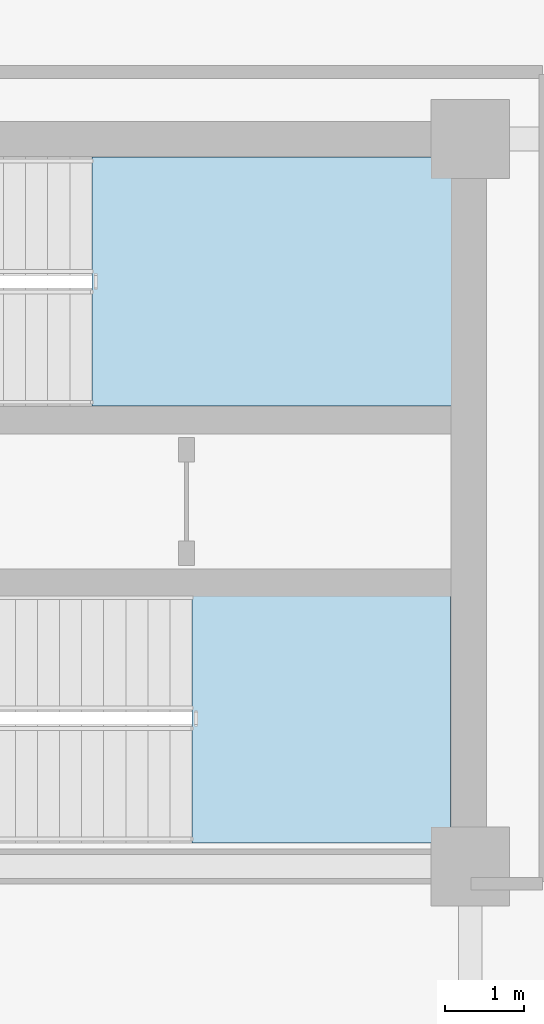
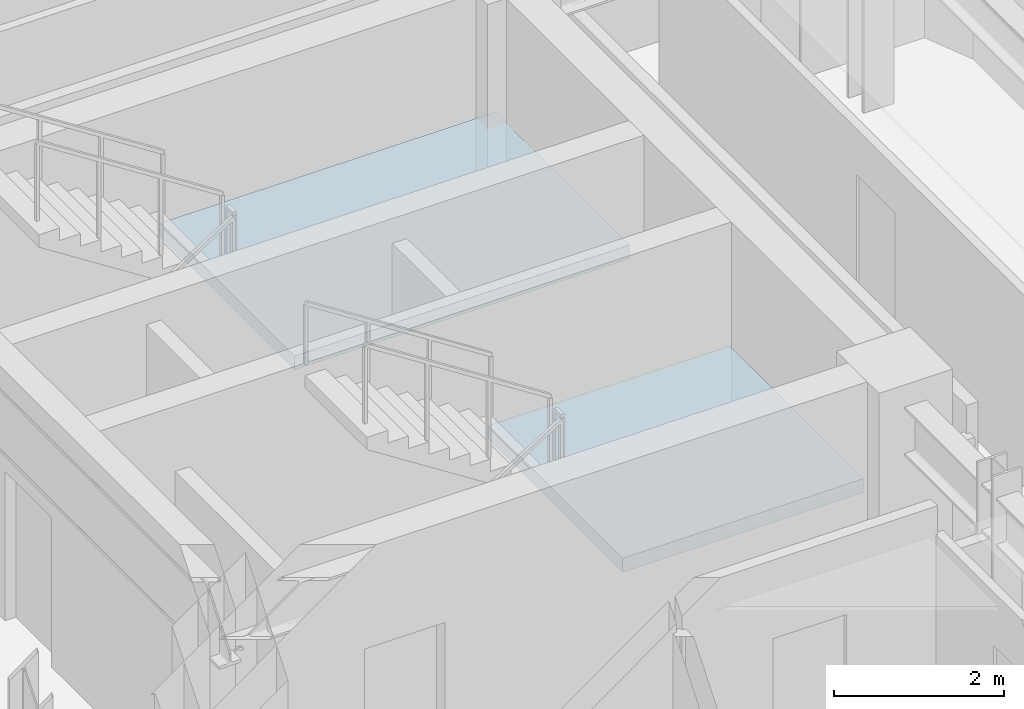
# One storey, part 4 of 13: 2 slabs, 2 elements without a shape of their own.
"""IFC4 building model written with IfcOpenShell, lengths in metres."""

from ifc_helpers import new_model, si_unit, direction, frame, origin, place, context, subcontext, project, spatial, polyline, outline, extrude, material, layer, layer_set, type_object, element, aggregate, save


model = new_model("IFC4")

# Units and contexts
model_context = context("Model", 3, precision=1e-05, world=origin(), true_north=direction((0.0, 1.0)))
body_context = subcontext(model_context, "Body", "Model", "MODEL_VIEW")
ifc_project = project(units=[si_unit("LENGTHUNIT", "METRE"), si_unit("AREAUNIT", "SQUARE_METRE"), si_unit("VOLUMEUNIT", "CUBIC_METRE"), si_unit("PLANEANGLEUNIT", "RADIAN"), si_unit("MASSUNIT", "GRAM", prefix="KILO")], contexts=[model_context])

# Site, building, storey
site_placement = place(None, origin())
site = spatial("IfcSite", under=ifc_project, at=site_placement, CompositionType="ELEMENT")
building_placement = place(site_placement, origin())
building = spatial("IfcBuilding", under=site, at=building_placement, Name="Zarnavel Station Tower", CompositionType="ELEMENT")
storey_placement = place(building_placement, frame((0.0, 0.0, 240.0)))
storey = spatial("IfcBuildingStorey", under=building, at=storey_placement, Name="L65", CompositionType="ELEMENT", Elevation=240.0)

# Stair, slab
ifc_material_1 = material(Name="Concrete C45/55", Category="concrete")
stair_type = type_object("IfcStairType", Name="ST_CORE_150", PredefinedType="HALF_TURN_STAIR", material=ifc_material_1)
stair_1_placement = place(storey_placement, origin())
stair_1 = element("IfcStair", 1, at=stair_1_placement, inside=storey, type_object=stair_type, Name="L65 Core Exit Stair ST2", PredefinedType="HALF_TURN_STAIR")
ifc_material_2 = material(Name="Concrete C45/55", Category="concrete")
ifc_layer = layer(ifc_material_2, 0.199951171875)
ifc_layer_set = layer_set([ifc_layer], Name="SL_STAIR_LAND_200")
slab_type = type_object("IfcSlabType", Name="SL_STAIR_LAND_200", PredefinedType="LANDING", material=ifc_layer_set)
slab_1_placement = place(storey_placement, frame((0.0, 0.0, 1.60009765625)))
slab_1 = element("IfcSlab", 2, at=slab_1_placement, type_object=slab_type, Name="ST2 landing 1", PredefinedType="LANDING", context=body_context, shape_type="SweptSolid", body=[
    extrude(outline(polyline([(40.60009765625, 33.659912109375), (45.159912109375, 33.659912109375), (45.159912109375, 36.820068359375), (40.60009765625, 36.820068359375), (40.60009765625, 33.659912109375)])), origin(), (0.0, 0.0, 1.0), 0.199951171875),
])
aggregate(stair_1, [slab_1])

stair_2_placement = place(storey_placement, origin())
stair_2 = element("IfcStair", 3, at=stair_2_placement, inside=storey, type_object=stair_type, Name="L65 Core Exit Stair ST3", PredefinedType="HALF_TURN_STAIR")
slab_2_placement = place(storey_placement, frame((0.0, 0.0, 1.60009765625)))
slab_2 = element("IfcSlab", 4, at=slab_2_placement, type_object=slab_type, Name="ST3 landing 1", PredefinedType="LANDING", context=body_context, shape_type="SweptSolid", body=[
    extrude(outline(polyline([(41.8701171875, 28.1201171875), (45.14990234375, 28.1201171875), (45.14990234375, 31.280029296875), (41.8701171875, 31.280029296875), (41.8701171875, 28.1201171875)])), origin(), (0.0, 0.0, 1.0), 0.199951171875),
])
aggregate(stair_2, [slab_2])

save(model, "model.ifc")
